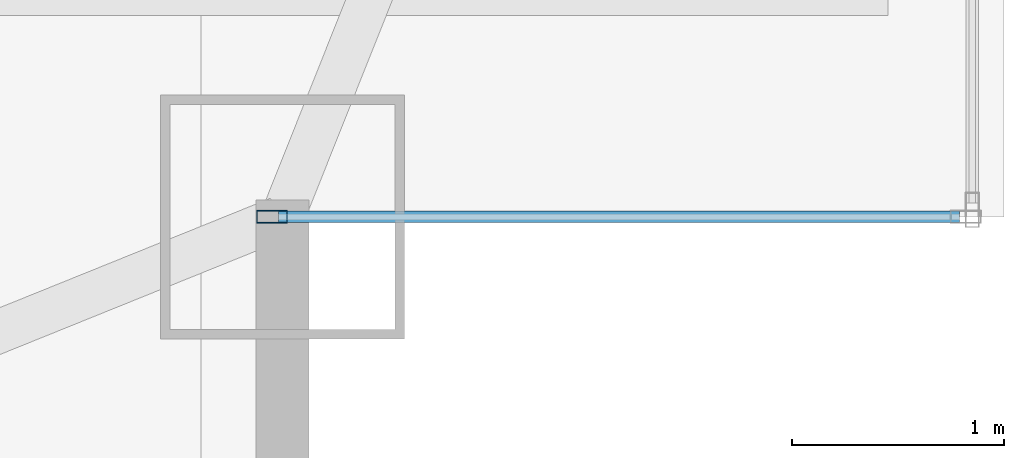
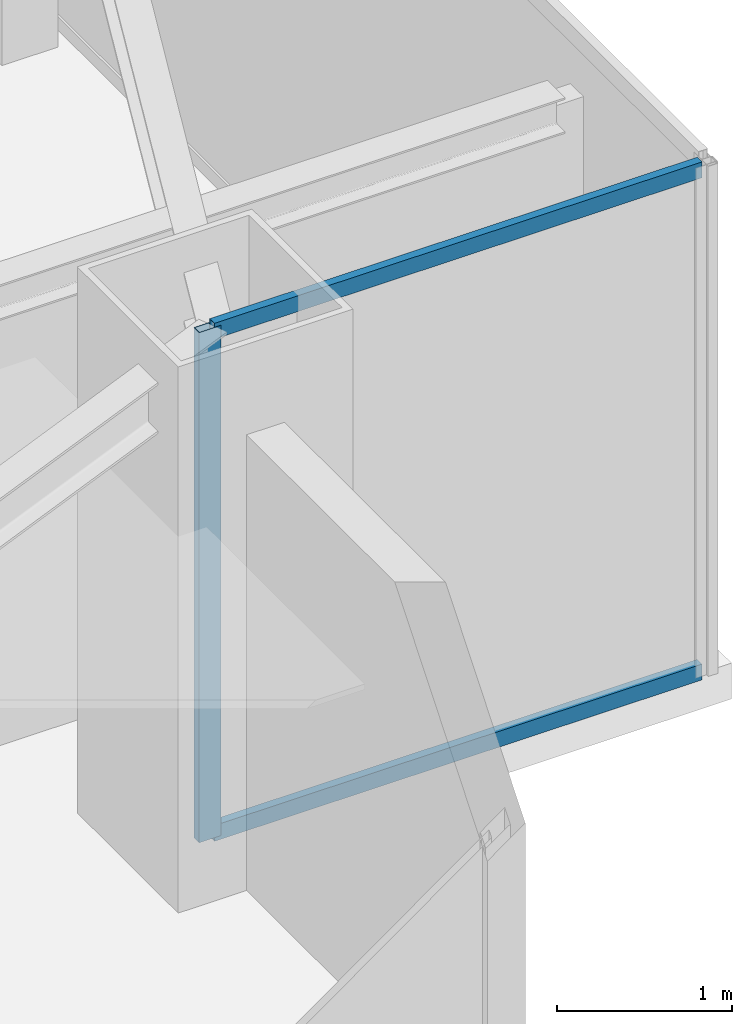
# One storey, part 15 of 30: 3 members, 1 element without a shape of its own.
"""IFC4 building model written with IfcOpenShell, lengths in metres."""

from ifc_helpers import new_model, si_unit, direction, frame, origin, origin_2d, place, context, subcontext, project, spatial, hollow_rectangle, extrude, source, transform, mapped, material, layer, layer_set, material_profile, profile_set, type_object, type_shapes, element, aggregate, save


model = new_model("IFC4")

# Units and contexts
model_context = context("Model", 3, precision=1e-05, world=origin(), true_north=direction((0.0, 1.0)))
body_context = subcontext(model_context, "Body", "Model", "MODEL_VIEW")
ifc_project = project(units=[si_unit("LENGTHUNIT", "METRE"), si_unit("AREAUNIT", "SQUARE_METRE"), si_unit("VOLUMEUNIT", "CUBIC_METRE"), si_unit("PLANEANGLEUNIT", "RADIAN"), si_unit("MASSUNIT", "GRAM", prefix="KILO")], contexts=[model_context])

# Site, building, storey
site_placement = place(None, origin())
site = spatial("IfcSite", under=ifc_project, at=site_placement, CompositionType="ELEMENT")
building_placement = place(site_placement, origin())
building = spatial("IfcBuilding", under=site, at=building_placement, Name="Varnel Quay Broadcast Tower", CompositionType="ELEMENT")
storey_placement = place(building_placement, frame((0.0, 0.0, 211.199951171875)))
storey = spatial("IfcBuildingStorey", under=building, at=storey_placement, Name="L52", CompositionType="ELEMENT", Elevation=211.199951171875)

# Curtain wall, members
ifc_material = material(Name="Anodised Bronze Aluminium 6063-T6", Category="aluminium")
ifc_layer = layer(ifc_material, 0.18994140625, Name="Anodised Bronze Aluminium 6063-T6")
ifc_layer_set = layer_set([ifc_layer], Name="Anodised Bronze Aluminium 6063-T6")
curtain_wall_type = type_object("IfcCurtainWallType", Name="CW_NotchCorner", PredefinedType="NOTDEFINED", material=ifc_layer_set)
curtain_wall_placement = place(storey_placement, origin())
curtain_wall = element("IfcCurtainWall", 1, at=curtain_wall_placement, inside=storey, type_object=curtain_wall_type, Name="L52 SE Notch Curtain Wall", PredefinedType="NOTDEFINED")
ifc_material_profile_1 = material_profile(ifc_material, hollow_rectangle(XDim=0.06005859375, YDim=0.14501953125, WallThickness=0.00341796875, at=origin_2d()), Name="ALU60X145X3.5")
ifc_profile_set_1 = profile_set([ifc_material_profile_1], Name="Anodised Bronze Aluminium 6063-T6")
member_type_1 = type_object("IfcMemberType", Name="Mull_CWS-04", PredefinedType="MULLION", material=ifc_profile_set_1)
shared_shape_1 = source(origin(), body_context, "Body", "SweptSolid", [
    extrude(hollow_rectangle(XDim=0.06005859375, YDim=0.14501953125, WallThickness=0.00341796875, at=origin_2d()), origin(), (0.0, 0.0, 1.0), 3.550048828125),
])
type_shapes(member_type_1, [shared_shape_1])
member_1_placement = place(storey_placement, frame((55.050048828125, 13.60009765625, 0.0), z_axis=(0.0, 0.0, 1.0), x_axis=(0.0, 1.0, 0.0)))
member_1 = element("IfcMember", 2, at=member_1_placement, type_object=member_type_1, Name="CWS-04 mullion 1", PredefinedType="MULLION", context=body_context, shape_type="MappedRepresentation", body=[
    mapped(shared_shape_1, transform((0.0, 0.0, 0.0), x_axis=(1.0, 0.0, 0.0), y_axis=(0.0, 1.0, 0.0), z_axis=(0.0, 0.0, 1.0), scale=1.0)),
])
ifc_material_profile_2 = material_profile(ifc_material, hollow_rectangle(XDim=0.054931640625, YDim=0.110107421875, WallThickness=0.0029296875, at=origin_2d()), Name="ALU55X110X3")
ifc_profile_set_2 = profile_set([ifc_material_profile_2], Name="Anodised Bronze Aluminium 6063-T6")
member_type_2 = type_object("IfcMemberType", Name="Tran_CWS-04", PredefinedType="USERDEFINED", material=ifc_profile_set_2)
shared_shape_2 = source(origin(), body_context, "Body", "SweptSolid", [
    extrude(hollow_rectangle(XDim=0.054931640625, YDim=0.110107421875, WallThickness=0.0029296875, at=origin_2d()), origin(), (0.0, 0.0, 1.0), 3.2099609375),
])
type_shapes(member_type_2, [shared_shape_2])
member_2_placement = place(storey_placement, frame((55.080078125, 13.60009765625, 0.027587890625), z_axis=(1.0, 0.0, 0.0), x_axis=(0.0, 1.0, 0.0)))
member_2 = element("IfcMember", 3, at=member_2_placement, type_object=member_type_2, Name="CWS-04 transom 1.1", ObjectType="TRANSOM", PredefinedType="USERDEFINED", context=body_context, shape_type="MappedRepresentation", body=[
    mapped(shared_shape_2, transform((0.0, 0.0, 0.0), x_axis=(1.0, 0.0, 0.0), y_axis=(0.0, 1.0, 0.0), z_axis=(0.0, 0.0, 1.0), scale=1.0)),
])
member_3_placement = place(storey_placement, frame((55.080078125, 13.60009765625, 3.5224609375), z_axis=(1.0, 0.0, 0.0), x_axis=(0.0, 1.0, 0.0)))
member_3 = element("IfcMember", 4, at=member_3_placement, type_object=member_type_2, Name="CWS-04 transom 1.2", ObjectType="TRANSOM", PredefinedType="USERDEFINED", context=body_context, shape_type="MappedRepresentation", body=[
    mapped(shared_shape_2, transform((0.0, 0.0, 0.0), x_axis=(1.0, 0.0, 0.0), y_axis=(0.0, 1.0, 0.0), z_axis=(0.0, 0.0, 1.0), scale=1.0)),
])
aggregate(curtain_wall, [member_1, member_2, member_3])

save(model, "model.ifc")
